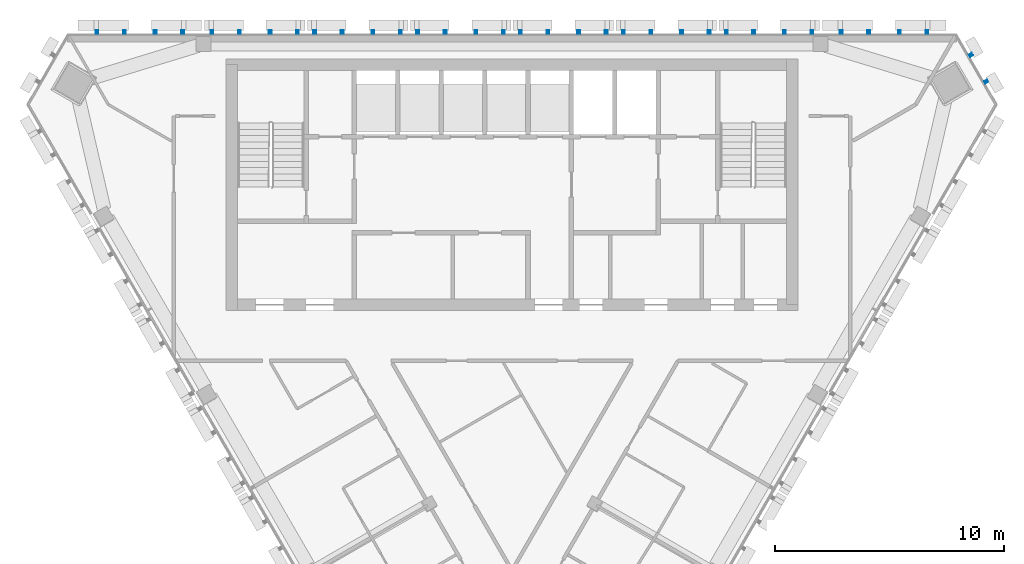
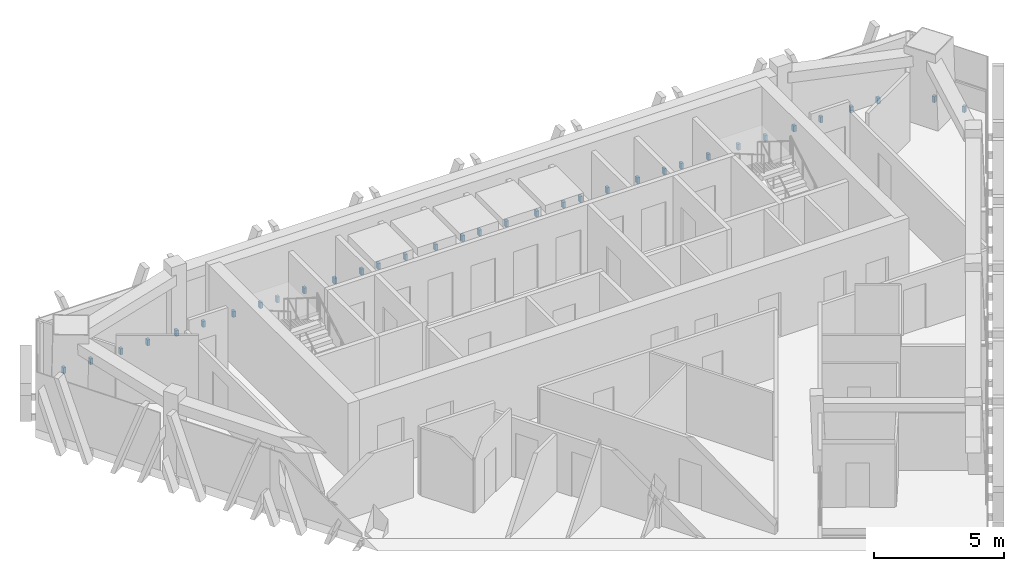
# One storey, part 9 of 11: 2 discrete accessories.
"""IFC4 building model written with IfcOpenShell, lengths in metres."""

from ifc_helpers import new_model, si_unit, direction, frame, origin, place, context, subcontext, project, spatial, polyline, outline, extrude, source, transform, mapped, material, type_object, element, save


model = new_model("IFC4")

# Units and contexts
model_context = context("Model", 3, precision=1e-05, world=origin(), true_north=direction((0.0, 1.0)))
body_context = subcontext(model_context, "Body", "Model", "MODEL_VIEW")
ifc_project = project(units=[si_unit("LENGTHUNIT", "METRE"), si_unit("AREAUNIT", "SQUARE_METRE"), si_unit("VOLUMEUNIT", "CUBIC_METRE"), si_unit("PLANEANGLEUNIT", "RADIAN"), si_unit("MASSUNIT", "GRAM", prefix="KILO")], contexts=[model_context])

# Site, building, storey
site_placement = place(None, origin())
site = spatial("IfcSite", under=ifc_project, at=site_placement, CompositionType="ELEMENT")
building_placement = place(site_placement, origin())
building = spatial("IfcBuilding", under=site, at=building_placement, Name="Altiplano Prism Tower", CompositionType="ELEMENT")
storey_placement = place(building_placement, frame((0.0, 0.0, 327.39990234375)))
storey = spatial("IfcBuildingStorey", under=building, at=storey_placement, Name="L85", CompositionType="ELEMENT", Elevation=327.39990234375)

# Discrete accessories
ifc_material = material(Name="Stainless steel", Category="steel")
discrete_accessory_type = type_object("IfcDiscreteAccessoryType", Name="Stone fin fixing prongs", PredefinedType="USERDEFINED", material=ifc_material)
shared_shape_1 = source(origin(), body_context, "Body", "SweptSolid", [
    extrude(outline(polyline([(-1.932861328125, 0.06005859375), (-1.812744140625, 0.06005859375), (-1.812744140625, 0.340087890625), (-1.932861328125, 0.340087890625), (-1.932861328125, 0.06005859375)])), frame((0.0, 0.0, 0.0), z_axis=(0.0, -1.0, 0.0), x_axis=(1.0, 0.0, 0.0)), (0.0, 0.0, 1.0), 0.14990234375),
    extrude(outline(polyline([(-0.73291015625, 0.06005859375), (-0.61279296875, 0.06005859375), (-0.61279296875, 0.340087890625), (-0.73291015625, 0.340087890625), (-0.73291015625, 0.06005859375)])), frame((0.0, 0.0, 0.0), z_axis=(0.0, -1.0, 0.0), x_axis=(1.0, 0.0, 0.0)), (0.0, 0.0, 1.0), 0.14990234375),
    extrude(outline(polyline([(0.61279296875, 0.06005859375), (0.73291015625, 0.06005859375), (0.73291015625, 0.340087890625), (0.61279296875, 0.340087890625), (0.61279296875, 0.06005859375)])), frame((0.0, 0.0, 0.0), z_axis=(0.0, -1.0, 0.0), x_axis=(1.0, 0.0, 0.0)), (0.0, 0.0, 1.0), 0.14990234375),
    extrude(outline(polyline([(1.812744140625, 0.06005859375), (1.932861328125, 0.06005859375), (1.932861328125, 0.340087890625), (1.812744140625, 0.340087890625), (1.812744140625, 0.06005859375)])), frame((0.0, 0.0, 0.0), z_axis=(0.0, -1.0, 0.0), x_axis=(1.0, 0.0, 0.0)), (0.0, 0.0, 1.0), 0.14990234375),
])
shared_shape_2 = source(origin(), body_context, "Body", "SweptSolid", [
    extrude(outline(polyline([(-1.932861328125, 0.06005859375), (-1.812744140625, 0.06005859375), (-1.812744140625, 0.340087890625), (-1.932861328125, 0.340087890625), (-1.932861328125, 0.06005859375)])), frame((0.0, 0.0, 0.0), z_axis=(0.0, -1.0, 0.0), x_axis=(1.0, 0.0, 0.0)), (0.0, 0.0, 1.0), 0.14990234375),
    extrude(outline(polyline([(-0.73291015625, 0.06005859375), (-0.61279296875, 0.06005859375), (-0.61279296875, 0.340087890625), (-0.73291015625, 0.340087890625), (-0.73291015625, 0.06005859375)])), frame((0.0, 0.0, 0.0), z_axis=(0.0, -1.0, 0.0), x_axis=(1.0, 0.0, 0.0)), (0.0, 0.0, 1.0), 0.14990234375),
    extrude(outline(polyline([(0.61279296875, 0.06005859375), (0.73291015625, 0.06005859375), (0.73291015625, 0.340087890625), (0.61279296875, 0.340087890625), (0.61279296875, 0.06005859375)])), frame((0.0, 0.0, 0.0), z_axis=(0.0, -1.0, 0.0), x_axis=(1.0, 0.0, 0.0)), (0.0, 0.0, 1.0), 0.14990234375),
    extrude(outline(polyline([(1.812744140625, 0.06005859375), (1.932861328125, 0.06005859375), (1.932861328125, 0.340087890625), (1.812744140625, 0.340087890625), (1.812744140625, 0.06005859375)])), frame((0.0, 0.0, 0.0), z_axis=(0.0, -1.0, 0.0), x_axis=(1.0, 0.0, 0.0)), (0.0, 0.0, 1.0), 0.14990234375),
])
discrete_accessory_1_placement = place(storey_placement, origin())
element("IfcDiscreteAccessory", 1, at=discrete_accessory_1_placement, inside=storey, type_object=discrete_accessory_type, Name="Fin fixings L85 north face", ObjectType="BRACKET", PredefinedType="USERDEFINED", context=body_context, shape_type="MappedRepresentation", body=[
    mapped(shared_shape_1, transform((101.273193359375, 105.0, -0.39990234375), x_axis=(-1.0, 0.0, 0.0), y_axis=(0.0, -1.0, 0.0), z_axis=(0.0, 0.0, 1.0))),
    mapped(shared_shape_2, transform((96.25, 105.0, -0.39990234375), x_axis=(-1.0, 0.0, 0.0), y_axis=(0.0, -1.0, 0.0), z_axis=(0.0, 0.0, 1.0))),
    mapped(shared_shape_2, transform((91.75, 105.0, -0.39990234375), x_axis=(-1.0, 0.0, 0.0), y_axis=(0.0, -1.0, 0.0), z_axis=(0.0, 0.0, 1.0))),
    mapped(shared_shape_2, transform((87.25, 105.0, -0.39990234375), x_axis=(-1.0, 0.0, 0.0), y_axis=(0.0, -1.0, 0.0), z_axis=(0.0, 0.0, 1.0))),
    mapped(shared_shape_2, transform((82.75, 105.0, -0.39990234375), x_axis=(-1.0, 0.0, 0.0), y_axis=(0.0, -1.0, 0.0), z_axis=(0.0, 0.0, 1.0))),
    mapped(shared_shape_2, transform((78.25, 105.0, -0.39990234375), x_axis=(-1.0, 0.0, 0.0), y_axis=(0.0, -1.0, 0.0), z_axis=(0.0, 0.0, 1.0))),
    mapped(shared_shape_2, transform((73.75, 105.0, -0.39990234375), x_axis=(-1.0, 0.0, 0.0), y_axis=(0.0, -1.0, 0.0), z_axis=(0.0, 0.0, 1.0))),
    mapped(shared_shape_1, transform((68.726806640625, 105.0, -0.39990234375), x_axis=(-1.0, 0.0, 0.0), y_axis=(0.0, -1.0, 0.0), z_axis=(0.0, 0.0, 1.0))),
])
shared_shape_3 = source(origin(), body_context, "Body", "SweptSolid", [
    extrude(outline(polyline([(-0.73291015625, 0.06005859375), (-0.61279296875, 0.06005859375), (-0.61279296875, 0.340087890625), (-0.73291015625, 0.340087890625), (-0.73291015625, 0.06005859375)])), frame((0.0, 0.0, 0.0), z_axis=(0.0, -1.0, 0.0), x_axis=(1.0, 0.0, 0.0)), (0.0, 0.0, 1.0), 0.14990234375),
    extrude(outline(polyline([(0.61279296875, 0.06005859375), (0.73291015625, 0.06005859375), (0.73291015625, 0.340087890625), (0.61279296875, 0.340087890625), (0.61279296875, 0.06005859375)])), frame((0.0, 0.0, 0.0), z_axis=(0.0, -1.0, 0.0), x_axis=(1.0, 0.0, 0.0)), (0.0, 0.0, 1.0), 0.14990234375),
])
discrete_accessory_2_placement = place(storey_placement, origin())
element("IfcDiscreteAccessory", 2, at=discrete_accessory_2_placement, inside=storey, type_object=discrete_accessory_type, Name="Fin fixings L85 north-east chamfer", ObjectType="BRACKET", PredefinedType="USERDEFINED", context=body_context, shape_type="MappedRepresentation", body=[
    mapped(shared_shape_3, transform((105.3408203125, 103.450927734375, -0.39990234375), x_axis=(-0.499999987126, 0.866025411217, 0.0), y_axis=(-0.866025411217, -0.499999987126, 0.0), z_axis=(0.0, 0.0, 1.0))),
])

save(model, "model.ifc")
